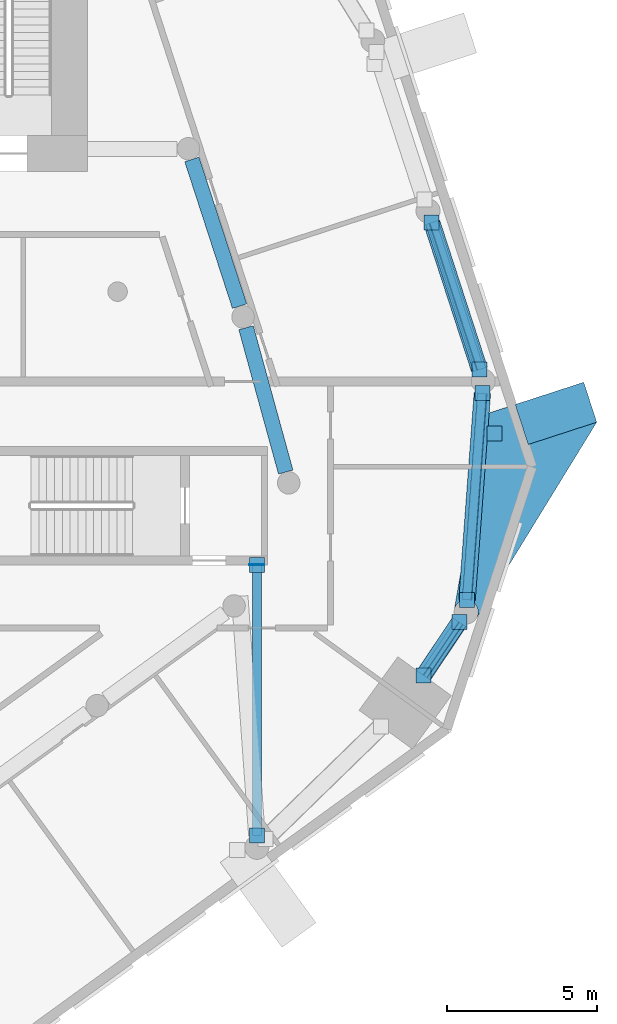
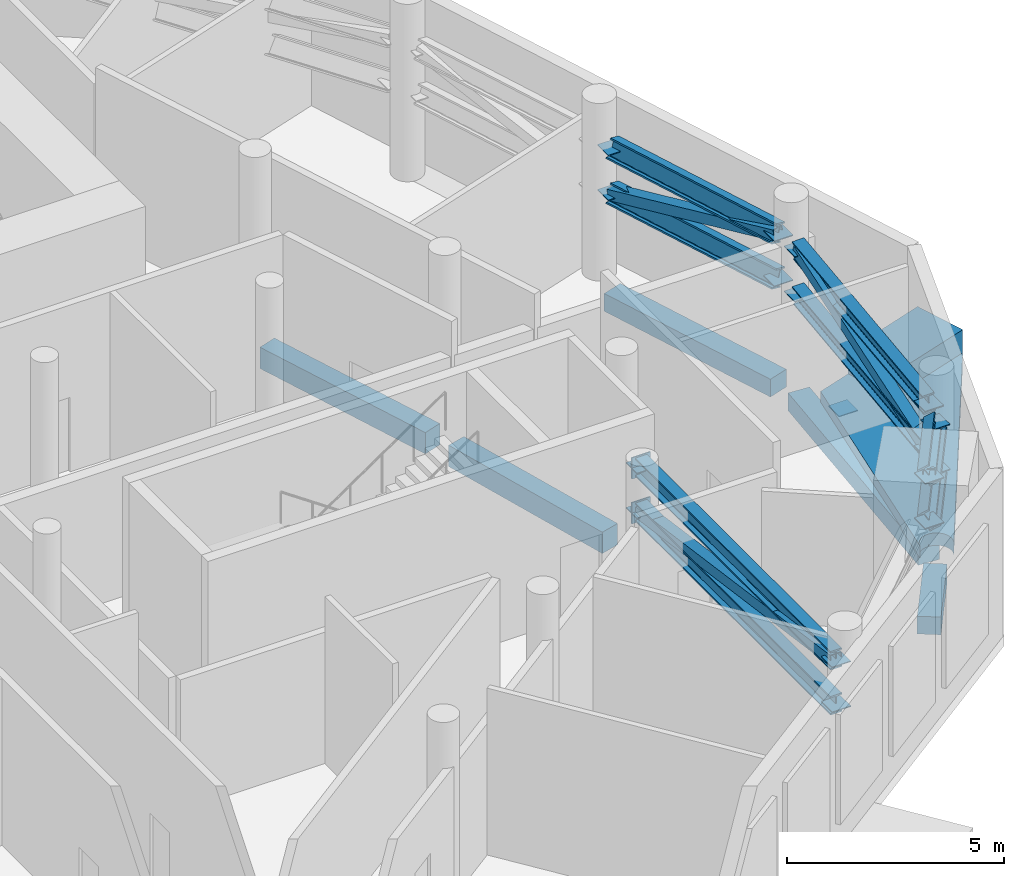
# One storey, part 3 of 15: 19 discrete accessories, 14 members, 5 beams.
"""IFC4 building model written with IfcOpenShell, lengths in metres."""

from ifc_helpers import new_model, si_unit, direction, frame, origin, origin_2d, place, context, subcontext, project, spatial, polyline, rectangle, hollow_rectangle, i_section, outline, extrude, material, layer, layer_set, material_profile, profile_set, type_object, element, aggregate, save


model = new_model("IFC4")

# Units and contexts
model_context = context("Model", 3, precision=1e-05, world=origin(), true_north=direction((0.0, 1.0)))
body_context = subcontext(model_context, "Body", "Model", "MODEL_VIEW")
ifc_project = project(units=[si_unit("LENGTHUNIT", "METRE"), si_unit("AREAUNIT", "SQUARE_METRE"), si_unit("VOLUMEUNIT", "CUBIC_METRE"), si_unit("PLANEANGLEUNIT", "RADIAN"), si_unit("MASSUNIT", "GRAM", prefix="KILO")], contexts=[model_context])

# Site, building, storey
site_placement = place(None, origin())
site = spatial("IfcSite", under=ifc_project, at=site_placement, CompositionType="ELEMENT")
building_placement = place(site_placement, origin())
building = spatial("IfcBuilding", under=site, at=building_placement, Name="White Candle Pilgrim Tower", CompositionType="ELEMENT")
storey_placement = place(building_placement, frame((0.0, 0.0, 85.800048828125)))
storey = spatial("IfcBuildingStorey", under=building, at=storey_placement, Name="L18", CompositionType="ELEMENT", Elevation=85.800048828125)

# Member
ifc_material_1 = material(Name="Steel S355", Category="steel")
ifc_material_profile_1 = material_profile(ifc_material_1, i_section(OverallWidth=0.305908203125, OverallDepth=0.52392578125, WebThickness=0.02099609375, FlangeThickness=0.0400390625, FilletRadius=0.027099609375, at=origin_2d()), Name="HEM 500")
ifc_profile_set_1 = profile_set([ifc_material_profile_1], Name="Steel S355")
member_type_1 = type_object("IfcMemberType", Name="Belt truss chord HEM 500 S355", PredefinedType="CHORD", material=ifc_profile_set_1)
member_1_placement = place(storey_placement, frame((86.639892578125, 48.889892578125, 2.411865234375), z_axis=(0.0, 1.0, 0.0), x_axis=(1.0, 0.0, 0.0)))
member_1 = element("IfcMember", 1, at=member_1_placement, inside=storey, type_object=member_type_1, Name="L18 belt truss bottom chord 04", PredefinedType="CHORD", context=body_context, shape_type="SweptSolid", body=[
    extrude(i_section(OverallWidth=0.305908203125, OverallDepth=0.52392578125, WebThickness=0.02099609375, FlangeThickness=0.0400390625, FilletRadius=0.027099609375, at=origin_2d()), origin(), (0.0, 0.0, 1.0), 9.010009765625),
])

member_2_placement = place(storey_placement, frame((86.639892578125, 48.889892578125, 3.677978515625), z_axis=(0.0, 1.0, 0.0), x_axis=(1.0, 0.0, 0.0)))
member_2 = element("IfcMember", 2, at=member_2_placement, inside=storey, type_object=member_type_1, Name="L18 belt truss top chord 04", PredefinedType="CHORD", context=body_context, shape_type="SweptSolid", body=[
    extrude(i_section(OverallWidth=0.305908203125, OverallDepth=0.52392578125, WebThickness=0.02099609375, FlangeThickness=0.0400390625, FilletRadius=0.027099609375, at=origin_2d()), origin(), (0.0, 0.0, 1.0), 9.010009765625),
])

member_3_placement = place(storey_placement, frame((92.192626953125, 54.214599609375, 2.411865234375), z_axis=(0.556641005169, 0.830753147069, 0.0), x_axis=(0.690172648522, -0.462445912085, 0.556601736997)))
member_3 = element("IfcMember", 3, at=member_3_placement, inside=storey, type_object=member_type_1, Name="L18 belt truss bottom chord 06", PredefinedType="CHORD", context=body_context, shape_type="SweptSolid", body=[
    extrude(i_section(OverallWidth=0.305908203125, OverallDepth=0.52392578125, WebThickness=0.02099609375, FlangeThickness=0.0400390625, FilletRadius=0.027099609375, at=origin_2d()), origin(), (0.0, 0.0, 1.0), 2.146484375),
])

member_4_placement = place(storey_placement, frame((92.192626953125, 54.214599609375, 3.677978515625), z_axis=(0.556641005169, 0.830753147069, 0.0), x_axis=(0.690172648522, -0.462445912085, 0.556601736997)))
member_4 = element("IfcMember", 4, at=member_4_placement, inside=storey, type_object=member_type_1, Name="L18 belt truss top chord 06", PredefinedType="CHORD", context=body_context, shape_type="SweptSolid", body=[
    extrude(i_section(OverallWidth=0.305908203125, OverallDepth=0.52392578125, WebThickness=0.02099609375, FlangeThickness=0.0400390625, FilletRadius=0.027099609375, at=origin_2d()), origin(), (0.0, 0.0, 1.0), 2.146484375),
])

member_5_placement = place(storey_placement, frame((93.6396484375, 56.728759765625, 2.411865234375), z_axis=(0.073900311906, 0.99726563357, 0.0), x_axis=(0.994538181099, -0.073698199669, 0.073907927192)))
member_5 = element("IfcMember", 5, at=member_5_placement, inside=storey, type_object=member_type_1, Name="L18 belt truss bottom chord 07", PredefinedType="CHORD", context=body_context, shape_type="SweptSolid", body=[
    extrude(i_section(OverallWidth=0.305908203125, OverallDepth=0.52392578125, WebThickness=0.02099609375, FlangeThickness=0.0400390625, FilletRadius=0.027099609375, at=origin_2d()), origin(), (0.0, 0.0, 1.0), 6.9111328125),
])

member_6_placement = place(storey_placement, frame((93.6396484375, 56.728759765625, 3.677978515625), z_axis=(0.073900311906, 0.99726563357, 0.0), x_axis=(0.994538181099, -0.073698199669, 0.073907927192)))
member_6 = element("IfcMember", 6, at=member_6_placement, inside=storey, type_object=member_type_1, Name="L18 belt truss top chord 07", PredefinedType="CHORD", context=body_context, shape_type="SweptSolid", body=[
    extrude(i_section(OverallWidth=0.305908203125, OverallDepth=0.52392578125, WebThickness=0.02099609375, FlangeThickness=0.0400390625, FilletRadius=0.027099609375, at=origin_2d()), origin(), (0.0, 0.0, 1.0), 6.9111328125),
])

member_7_placement = place(storey_placement, frame((94.056640625, 64.400390625, 2.411865234375), z_axis=(-0.308682827488, 0.951165028801, 0.0), x_axis=(0.904717832975, 0.293609258441, -0.308673364668)))
member_7 = element("IfcMember", 7, at=member_7_placement, inside=storey, type_object=member_type_1, Name="L18 belt truss bottom chord 08", PredefinedType="CHORD", context=body_context, shape_type="SweptSolid", body=[
    extrude(i_section(OverallWidth=0.305908203125, OverallDepth=0.52392578125, WebThickness=0.02099609375, FlangeThickness=0.0400390625, FilletRadius=0.027099609375, at=origin_2d()), origin(), (0.0, 0.0, 1.0), 5.161376953125),
])

member_8_placement = place(storey_placement, frame((94.056640625, 64.400390625, 3.677978515625), z_axis=(-0.308682827488, 0.951165028801, 0.0), x_axis=(0.904717832975, 0.293609258441, -0.308673364668)))
member_8 = element("IfcMember", 8, at=member_8_placement, inside=storey, type_object=member_type_1, Name="L18 belt truss top chord 08", PredefinedType="CHORD", context=body_context, shape_type="SweptSolid", body=[
    extrude(i_section(OverallWidth=0.305908203125, OverallDepth=0.52392578125, WebThickness=0.02099609375, FlangeThickness=0.0400390625, FilletRadius=0.027099609375, at=origin_2d()), origin(), (0.0, 0.0, 1.0), 5.161376953125),
])

# Members
ifc_material_profile_2 = material_profile(ifc_material_1, hollow_rectangle(XDim=0.300048828125, YDim=0.300048828125, WallThickness=0.01611328125, at=origin_2d()), Name="SHS 300x300x16")
ifc_profile_set_2 = profile_set([ifc_material_profile_2], Name="Steel S355")
member_type_2 = type_object("IfcMemberType", Name="Belt truss diagonal SHS 300x300x16 S355", PredefinedType="BRACE", material=ifc_profile_set_2)
member_9_placement = place(storey_placement, frame((86.639892578125, 48.889892578125, 3.677978515625), z_axis=(0.0, 0.990270507493, -0.139155747239), x_axis=(-1.0, 0.0, 0.0)))
element("IfcMember", 9, at=member_9_placement, inside=storey, type_object=member_type_2, Name="L18 belt truss diagonal 04", PredefinedType="BRACE", context=body_context, shape_type="SweptSolid", body=[
    extrude(hollow_rectangle(XDim=0.300048828125, YDim=0.300048828125, WallThickness=0.01611328125, at=origin_2d()), origin(), (0.0, 0.0, 1.0), 9.0986328125),
])
member_10_placement = place(storey_placement, frame((92.192626953125, 54.214599609375, 3.677978515625), z_axis=(0.479448641851, 0.715548197809, -0.508054895104), x_axis=(-0.830753147069, 0.556641005169, 0.0)))
element("IfcMember", 10, at=member_10_placement, inside=storey, type_object=member_type_2, Name="L18 belt truss diagonal 06", PredefinedType="BRACE", context=body_context, shape_type="SweptSolid", body=[
    extrude(hollow_rectangle(XDim=0.300048828125, YDim=0.300048828125, WallThickness=0.01611328125, at=origin_2d()), origin(), (0.0, 0.0, 1.0), 2.4921875),
])
member_11_placement = place(storey_placement, frame((93.6396484375, 56.728759765625, 2.411865234375), z_axis=(0.072690595345, 0.980940820839, 0.180197623069), x_axis=(-0.99726563357, 0.073900311906, 0.0)))
element("IfcMember", 11, at=member_11_placement, inside=storey, type_object=member_type_2, Name="L18 belt truss diagonal 07", PredefinedType="BRACE", context=body_context, shape_type="SweptSolid", body=[
    extrude(hollow_rectangle(XDim=0.300048828125, YDim=0.300048828125, WallThickness=0.01611328125, at=origin_2d()), origin(), (0.0, 0.0, 1.0), 7.0263671875),
])
member_12_placement = place(storey_placement, frame((94.056640625, 64.400390625, 3.677978515625), z_axis=(-0.299794917288, 0.923778117032, -0.238237272611), x_axis=(-0.951165028801, -0.308682827488, 0.0)))
element("IfcMember", 12, at=member_12_placement, inside=storey, type_object=member_type_2, Name="L18 belt truss diagonal 08", PredefinedType="BRACE", context=body_context, shape_type="SweptSolid", body=[
    extrude(hollow_rectangle(XDim=0.300048828125, YDim=0.300048828125, WallThickness=0.01611328125, at=origin_2d()), origin(), (0.0, 0.0, 1.0), 5.314453125),
])

# Member
ifc_material_2 = material(Name="Concrete C70/85, white", Category="concrete")
ifc_layer_1 = layer(ifc_material_2, 0.300048828125)
ifc_layer_set_1 = layer_set([ifc_layer_1], Name="Node tie strut 3350x1400x300 C70/85")
member_type_3 = type_object("IfcMemberType", Name="Node tie strut 3350x1400x300 C70/85", PredefinedType="STRUT", material=ifc_layer_set_1)
member_13_placement = place(storey_placement, frame((0.0, 0.0, -0.35009765625)))
member_13 = element("IfcMember", 13, at=member_13_placement, inside=storey, type_object=member_type_3, Name="Node tie strut NC041", PredefinedType="STRUT", context=body_context, shape_type="SweptSolid", body=[
    extrude(outline(polyline([(93.956298828125, 56.1298828125), (97.959716796875, 62.65087890625), (97.527099609375, 63.982421875), (94.34130859375, 62.947021484375), (93.2177734375, 56.407958984375), (93.2236328125, 56.43359375), (93.231201171875, 56.45849609375), (93.240478515625, 56.483154296875), (93.251220703125, 56.5068359375), (93.263671875, 56.530029296875), (93.27734375, 56.55224609375), (93.292724609375, 56.573486328125), (93.309326171875, 56.59375), (93.3271484375, 56.61279296875), (93.34619140625, 56.630615234375), (93.366455078125, 56.647216796875), (93.3876953125, 56.66259765625), (93.409912109375, 56.676513671875), (93.43310546875, 56.688720703125), (93.456787109375, 56.69970703125), (93.4814453125, 56.708740234375), (93.506591796875, 56.71630859375), (93.531982421875, 56.722412109375), (93.557861328125, 56.7265625), (93.583740234375, 56.72900390625), (93.610107421875, 56.72998046875), (93.63623046875, 56.72900390625), (93.662109375, 56.7265625), (93.68798828125, 56.722412109375), (93.71337890625, 56.71630859375), (93.738525390625, 56.708740234375), (93.76318359375, 56.69970703125), (93.786865234375, 56.688720703125), (93.81005859375, 56.676513671875), (93.832275390625, 56.66259765625), (93.853515625, 56.647216796875), (93.873779296875, 56.630615234375), (93.892822265625, 56.61279296875), (93.91064453125, 56.59375), (93.92724609375, 56.573486328125), (93.942626953125, 56.55224609375), (93.956298828125, 56.530029296875), (93.96875, 56.5068359375), (93.9794921875, 56.483154296875), (93.98876953125, 56.45849609375), (93.996337890625, 56.43359375), (94.002197265625, 56.407958984375), (94.006591796875, 56.382080078125), (94.009033203125, 56.356201171875), (94.010009765625, 56.330078125), (94.009033203125, 56.3037109375), (94.006591796875, 56.27783203125), (94.002197265625, 56.251953125), (93.996337890625, 56.2265625), (93.98876953125, 56.201416015625), (93.9794921875, 56.177001953125), (93.96875, 56.153076171875), (93.956298828125, 56.1298828125)])), origin(), (0.0, 0.0, 1.0), 0.35009765625),
])

member_14_placement = place(storey_placement, origin())
element("IfcMember", 14, at=member_14_placement, inside=storey, type_object=member_type_3, Name="Node tie strut NC041", PredefinedType="STRUT", context=body_context, shape_type="SweptSolid", body=[
    extrude(outline(polyline([(95.67724609375, 61.9091796875), (97.959716796875, 62.65087890625), (97.527099609375, 63.982421875), (95.24462890625, 63.24072265625), (95.67724609375, 61.9091796875)])), origin(), (0.0, 0.0, 1.0), 0.64990234375),
])

# Beams
ifc_material_3 = material(Name="Concrete C50/60", Category="concrete")
ifc_material_profile_3 = material_profile(ifc_material_3, rectangle(XDim=0.5, YDim=0.60009765625, at=origin_2d()), Name="RC-BM 500x600")
ifc_profile_set_3 = profile_set([ifc_material_profile_3], Name="Concrete C50/60")
beam_type_1 = type_object("IfcBeamType", Name="Ring beam RC-BM 500x600 C50/60", PredefinedType="BEAM", material=ifc_profile_set_3)
beam_1_placement = place(storey_placement, frame((87.6005859375, 60.991455078125, -0.60009765625), z_axis=(-0.265031278819, 0.964239815216, 0.0), x_axis=(-0.964239815216, -0.265031278819, 0.0)))
element("IfcBeam", 15, at=beam_1_placement, inside=storey, type_object=beam_type_1, Name="L18 ring beam R08", PredefinedType="BEAM", context=body_context, shape_type="SweptSolid", body=[
    extrude(rectangle(XDim=0.5, YDim=0.60009765625, at=origin_2d()), origin(), (0.0, 0.0, 1.0), 4.9853515625),
])
beam_2_placement = place(storey_placement, frame((86.064208984375, 66.5166015625, -0.60009765625), z_axis=(-0.309106483996, 0.9510274347, 0.0), x_axis=(-0.9510274347, -0.309106483996, 0.0)))
element("IfcBeam", 16, at=beam_2_placement, inside=storey, type_object=beam_type_1, Name="L18 ring beam R09", PredefinedType="BEAM", context=body_context, shape_type="SweptSolid", body=[
    extrude(rectangle(XDim=0.5, YDim=0.60009765625, at=origin_2d()), origin(), (0.0, 0.0, 1.0), 5.138671875),
])
ifc_material_profile_4 = material_profile(ifc_material_3, rectangle(XDim=0.550048828125, YDim=0.5, at=origin_2d()), Name="RC-BM 550x500")
ifc_profile_set_4 = profile_set([ifc_material_profile_4], Name="Concrete C50/60")
beam_type_2 = type_object("IfcBeamType", Name="Spandrel beam RC-BM 550x500 C50/60", PredefinedType="BEAM", material=ifc_profile_set_4)
beam_3_placement = place(storey_placement, frame((92.192626953125, 54.214599609375, -0.550048828125), z_axis=(0.556641005169, 0.830753147069, 0.0), x_axis=(-0.830753147069, 0.556641005169, 0.0)))
element("IfcBeam", 17, at=beam_3_placement, inside=storey, type_object=beam_type_2, Name="L18 spandrel beam T06", PredefinedType="BEAM", context=body_context, shape_type="SweptSolid", body=[
    extrude(rectangle(XDim=0.550048828125, YDim=0.5, at=origin_2d()), origin(), (0.0, 0.0, 1.0), 2.146484375),
])
beam_4_placement = place(storey_placement, frame((93.6396484375, 56.728759765625, -0.550048828125), z_axis=(0.073900311906, 0.99726563357, 0.0), x_axis=(-0.99726563357, 0.073900311906, 0.0)))
element("IfcBeam", 18, at=beam_4_placement, inside=storey, type_object=beam_type_2, Name="L18 spandrel beam T07", PredefinedType="BEAM", context=body_context, shape_type="SweptSolid", body=[
    extrude(rectangle(XDim=0.550048828125, YDim=0.5, at=origin_2d()), origin(), (0.0, 0.0, 1.0), 6.9111328125),
])
beam_5_placement = place(storey_placement, frame((94.056640625, 64.400390625, -0.550048828125), z_axis=(-0.308682827488, 0.951165028801, 0.0), x_axis=(-0.951165028801, -0.308682827488, 0.0)))
element("IfcBeam", 19, at=beam_5_placement, inside=storey, type_object=beam_type_2, Name="L18 spandrel beam T08", PredefinedType="BEAM", context=body_context, shape_type="SweptSolid", body=[
    extrude(rectangle(XDim=0.550048828125, YDim=0.5, at=origin_2d()), origin(), (0.0, 0.0, 1.0), 5.161376953125),
])

# Discrete accessory
ifc_layer_2 = layer(ifc_material_1, 0.030029296875)
ifc_layer_set_2 = layer_set([ifc_layer_2], Name="Cast-in plate 500x600x30 S355")
discrete_accessory_type_1 = type_object("IfcDiscreteAccessoryType", Name="Cast-in plate 500x600x30 S355", PredefinedType="ANCHORPLATE", material=ifc_layer_set_2)
discrete_accessory_1_placement = place(storey_placement, frame((86.639892578125, 57.89990234375, 2.11181640625), z_axis=(0.0, 0.0, 1.0), x_axis=(0.0, -1.0, 0.0)))
discrete_accessory_1 = element("IfcDiscreteAccessory", 20, at=discrete_accessory_1_placement, type_object=discrete_accessory_type_1, Name="Cast-in plate 0001", PredefinedType="ANCHORPLATE", context=body_context, shape_type="SweptSolid", body=[
    extrude(rectangle(XDim=0.030029296875, YDim=0.5, at=origin_2d()), origin(), (0.0, 0.0, 1.0), 0.60009765625),
])

discrete_accessory_2_placement = place(storey_placement, frame((86.639892578125, 57.89990234375, 3.3779296875), z_axis=(0.0, 0.0, 1.0), x_axis=(0.0, -1.0, 0.0)))
discrete_accessory_2 = element("IfcDiscreteAccessory", 21, at=discrete_accessory_2_placement, type_object=discrete_accessory_type_1, Name="Cast-in plate 0002", PredefinedType="ANCHORPLATE", context=body_context, shape_type="SweptSolid", body=[
    extrude(rectangle(XDim=0.030029296875, YDim=0.5, at=origin_2d()), origin(), (0.0, 0.0, 1.0), 0.60009765625),
])

ifc_layer_3 = layer(ifc_material_1, 0.02490234375)
ifc_layer_set_3 = layer_set([ifc_layer_3], Name="Gusset plate 500x500x25 S355")
discrete_accessory_type_2 = type_object("IfcDiscreteAccessoryType", Name="Gusset plate 500x500x25 S355", PredefinedType="BRACKET", material=ifc_layer_set_3)
discrete_accessory_3_placement = place(storey_placement, frame((94.5576171875, 62.281494140625, -0.16259765625), z_axis=(0.0, 0.0, 1.0), x_axis=(1.0, 0.0, 0.0)))
discrete_accessory_3 = element("IfcDiscreteAccessory", 22, at=discrete_accessory_3_placement, type_object=discrete_accessory_type_2, Name="Gusset plate 0422", PredefinedType="BRACKET", context=body_context, shape_type="SweptSolid", body=[
    extrude(rectangle(XDim=0.5, YDim=0.5, at=origin_2d()), origin(), (0.0, 0.0, 1.0), 0.02490234375),
])

aggregate(member_13, [discrete_accessory_3])

discrete_accessory_4_placement = place(storey_placement, frame((86.639892578125, 48.889892578125, 2.3994140625), z_axis=(0.0, 0.0, 1.0), x_axis=(1.0, 0.0, 0.0)))
discrete_accessory_4 = element("IfcDiscreteAccessory", 23, at=discrete_accessory_4_placement, type_object=discrete_accessory_type_2, Name="Gusset plate 0670", PredefinedType="BRACKET", context=body_context, shape_type="SweptSolid", body=[
    extrude(rectangle(XDim=0.5, YDim=0.5, at=origin_2d()), origin(), (0.0, 0.0, 1.0), 0.02490234375),
])

discrete_accessory_5_placement = place(storey_placement, frame((86.639892578125, 57.89990234375, 2.3994140625), z_axis=(0.0, 0.0, 1.0), x_axis=(1.0, 0.0, 0.0)))
discrete_accessory_5 = element("IfcDiscreteAccessory", 24, at=discrete_accessory_5_placement, type_object=discrete_accessory_type_2, Name="Gusset plate 0671", PredefinedType="BRACKET", context=body_context, shape_type="SweptSolid", body=[
    extrude(rectangle(XDim=0.5, YDim=0.5, at=origin_2d()), origin(), (0.0, 0.0, 1.0), 0.02490234375),
])

aggregate(member_1, [discrete_accessory_4, discrete_accessory_5, discrete_accessory_1])

discrete_accessory_6_placement = place(storey_placement, frame((86.639892578125, 48.889892578125, 3.66552734375), z_axis=(0.0, 0.0, 1.0), x_axis=(1.0, 0.0, 0.0)))
discrete_accessory_6 = element("IfcDiscreteAccessory", 25, at=discrete_accessory_6_placement, type_object=discrete_accessory_type_2, Name="Gusset plate 0672", PredefinedType="BRACKET", context=body_context, shape_type="SweptSolid", body=[
    extrude(rectangle(XDim=0.5, YDim=0.5, at=origin_2d()), origin(), (0.0, 0.0, 1.0), 0.02490234375),
])

discrete_accessory_7_placement = place(storey_placement, frame((86.639892578125, 57.89990234375, 3.66552734375), z_axis=(0.0, 0.0, 1.0), x_axis=(1.0, 0.0, 0.0)))
discrete_accessory_7 = element("IfcDiscreteAccessory", 26, at=discrete_accessory_7_placement, type_object=discrete_accessory_type_2, Name="Gusset plate 0673", PredefinedType="BRACKET", context=body_context, shape_type="SweptSolid", body=[
    extrude(rectangle(XDim=0.5, YDim=0.5, at=origin_2d()), origin(), (0.0, 0.0, 1.0), 0.02490234375),
])

aggregate(member_2, [discrete_accessory_6, discrete_accessory_7, discrete_accessory_2])

discrete_accessory_8_placement = place(storey_placement, frame((92.192626953125, 54.214599609375, 2.3994140625), z_axis=(0.0, 0.0, 1.0), x_axis=(1.0, 0.0, 0.0)))
discrete_accessory_8 = element("IfcDiscreteAccessory", 27, at=discrete_accessory_8_placement, type_object=discrete_accessory_type_2, Name="Gusset plate 0678", PredefinedType="BRACKET", context=body_context, shape_type="SweptSolid", body=[
    extrude(rectangle(XDim=0.5, YDim=0.5, at=origin_2d()), origin(), (0.0, 0.0, 1.0), 0.02490234375),
])

discrete_accessory_9_placement = place(storey_placement, frame((93.387451171875, 55.997802734375, 2.3994140625), z_axis=(0.0, 0.0, 1.0), x_axis=(1.0, 0.0, 0.0)))
discrete_accessory_9 = element("IfcDiscreteAccessory", 28, at=discrete_accessory_9_placement, type_object=discrete_accessory_type_2, Name="Gusset plate 0679", PredefinedType="BRACKET", context=body_context, shape_type="SweptSolid", body=[
    extrude(rectangle(XDim=0.5, YDim=0.5, at=origin_2d()), origin(), (0.0, 0.0, 1.0), 0.02490234375),
])

aggregate(member_3, [discrete_accessory_8, discrete_accessory_9])

discrete_accessory_10_placement = place(storey_placement, frame((92.192626953125, 54.214599609375, 3.66552734375), z_axis=(0.0, 0.0, 1.0), x_axis=(1.0, 0.0, 0.0)))
discrete_accessory_10 = element("IfcDiscreteAccessory", 29, at=discrete_accessory_10_placement, type_object=discrete_accessory_type_2, Name="Gusset plate 0680", PredefinedType="BRACKET", context=body_context, shape_type="SweptSolid", body=[
    extrude(rectangle(XDim=0.5, YDim=0.5, at=origin_2d()), origin(), (0.0, 0.0, 1.0), 0.02490234375),
])

discrete_accessory_11_placement = place(storey_placement, frame((93.387451171875, 55.997802734375, 3.66552734375), z_axis=(0.0, 0.0, 1.0), x_axis=(1.0, 0.0, 0.0)))
discrete_accessory_11 = element("IfcDiscreteAccessory", 30, at=discrete_accessory_11_placement, type_object=discrete_accessory_type_2, Name="Gusset plate 0681", PredefinedType="BRACKET", context=body_context, shape_type="SweptSolid", body=[
    extrude(rectangle(XDim=0.5, YDim=0.5, at=origin_2d()), origin(), (0.0, 0.0, 1.0), 0.02490234375),
])

aggregate(member_4, [discrete_accessory_10, discrete_accessory_11])

discrete_accessory_12_placement = place(storey_placement, frame((93.6396484375, 56.728759765625, 2.3994140625), z_axis=(0.0, 0.0, 1.0), x_axis=(1.0, 0.0, 0.0)))
discrete_accessory_12 = element("IfcDiscreteAccessory", 31, at=discrete_accessory_12_placement, type_object=discrete_accessory_type_2, Name="Gusset plate 0682", PredefinedType="BRACKET", context=body_context, shape_type="SweptSolid", body=[
    extrude(rectangle(XDim=0.5, YDim=0.5, at=origin_2d()), origin(), (0.0, 0.0, 1.0), 0.02490234375),
])

discrete_accessory_13_placement = place(storey_placement, frame((94.150390625, 63.62109375, 2.3994140625), z_axis=(0.0, 0.0, 1.0), x_axis=(1.0, 0.0, 0.0)))
discrete_accessory_13 = element("IfcDiscreteAccessory", 32, at=discrete_accessory_13_placement, type_object=discrete_accessory_type_2, Name="Gusset plate 0683", PredefinedType="BRACKET", context=body_context, shape_type="SweptSolid", body=[
    extrude(rectangle(XDim=0.5, YDim=0.5, at=origin_2d()), origin(), (0.0, 0.0, 1.0), 0.02490234375),
])

aggregate(member_5, [discrete_accessory_12, discrete_accessory_13])

discrete_accessory_14_placement = place(storey_placement, frame((93.6396484375, 56.728759765625, 3.66552734375), z_axis=(0.0, 0.0, 1.0), x_axis=(1.0, 0.0, 0.0)))
discrete_accessory_14 = element("IfcDiscreteAccessory", 33, at=discrete_accessory_14_placement, type_object=discrete_accessory_type_2, Name="Gusset plate 0684", PredefinedType="BRACKET", context=body_context, shape_type="SweptSolid", body=[
    extrude(rectangle(XDim=0.5, YDim=0.5, at=origin_2d()), origin(), (0.0, 0.0, 1.0), 0.02490234375),
])

discrete_accessory_15_placement = place(storey_placement, frame((94.150390625, 63.62109375, 3.66552734375), z_axis=(0.0, 0.0, 1.0), x_axis=(1.0, 0.0, 0.0)))
discrete_accessory_15 = element("IfcDiscreteAccessory", 34, at=discrete_accessory_15_placement, type_object=discrete_accessory_type_2, Name="Gusset plate 0685", PredefinedType="BRACKET", context=body_context, shape_type="SweptSolid", body=[
    extrude(rectangle(XDim=0.5, YDim=0.5, at=origin_2d()), origin(), (0.0, 0.0, 1.0), 0.02490234375),
])

aggregate(member_6, [discrete_accessory_14, discrete_accessory_15])

discrete_accessory_16_placement = place(storey_placement, frame((94.056640625, 64.400390625, 2.3994140625), z_axis=(0.0, 0.0, 1.0), x_axis=(1.0, 0.0, 0.0)))
discrete_accessory_16 = element("IfcDiscreteAccessory", 35, at=discrete_accessory_16_placement, type_object=discrete_accessory_type_2, Name="Gusset plate 0686", PredefinedType="BRACKET", context=body_context, shape_type="SweptSolid", body=[
    extrude(rectangle(XDim=0.5, YDim=0.5, at=origin_2d()), origin(), (0.0, 0.0, 1.0), 0.02490234375),
])

discrete_accessory_17_placement = place(storey_placement, frame((92.46337890625, 69.309814453125, 2.3994140625), z_axis=(0.0, 0.0, 1.0), x_axis=(1.0, 0.0, 0.0)))
discrete_accessory_17 = element("IfcDiscreteAccessory", 36, at=discrete_accessory_17_placement, type_object=discrete_accessory_type_2, Name="Gusset plate 0687", PredefinedType="BRACKET", context=body_context, shape_type="SweptSolid", body=[
    extrude(rectangle(XDim=0.5, YDim=0.5, at=origin_2d()), origin(), (0.0, 0.0, 1.0), 0.02490234375),
])

aggregate(member_7, [discrete_accessory_16, discrete_accessory_17])

discrete_accessory_18_placement = place(storey_placement, frame((94.056640625, 64.400390625, 3.66552734375), z_axis=(0.0, 0.0, 1.0), x_axis=(1.0, 0.0, 0.0)))
discrete_accessory_18 = element("IfcDiscreteAccessory", 37, at=discrete_accessory_18_placement, type_object=discrete_accessory_type_2, Name="Gusset plate 0688", PredefinedType="BRACKET", context=body_context, shape_type="SweptSolid", body=[
    extrude(rectangle(XDim=0.5, YDim=0.5, at=origin_2d()), origin(), (0.0, 0.0, 1.0), 0.02490234375),
])

discrete_accessory_19_placement = place(storey_placement, frame((92.46337890625, 69.309814453125, 3.66552734375), z_axis=(0.0, 0.0, 1.0), x_axis=(1.0, 0.0, 0.0)))
discrete_accessory_19 = element("IfcDiscreteAccessory", 38, at=discrete_accessory_19_placement, type_object=discrete_accessory_type_2, Name="Gusset plate 0689", PredefinedType="BRACKET", context=body_context, shape_type="SweptSolid", body=[
    extrude(rectangle(XDim=0.5, YDim=0.5, at=origin_2d()), origin(), (0.0, 0.0, 1.0), 0.02490234375),
])

aggregate(member_8, [discrete_accessory_18, discrete_accessory_19])

save(model, "model.ifc")
